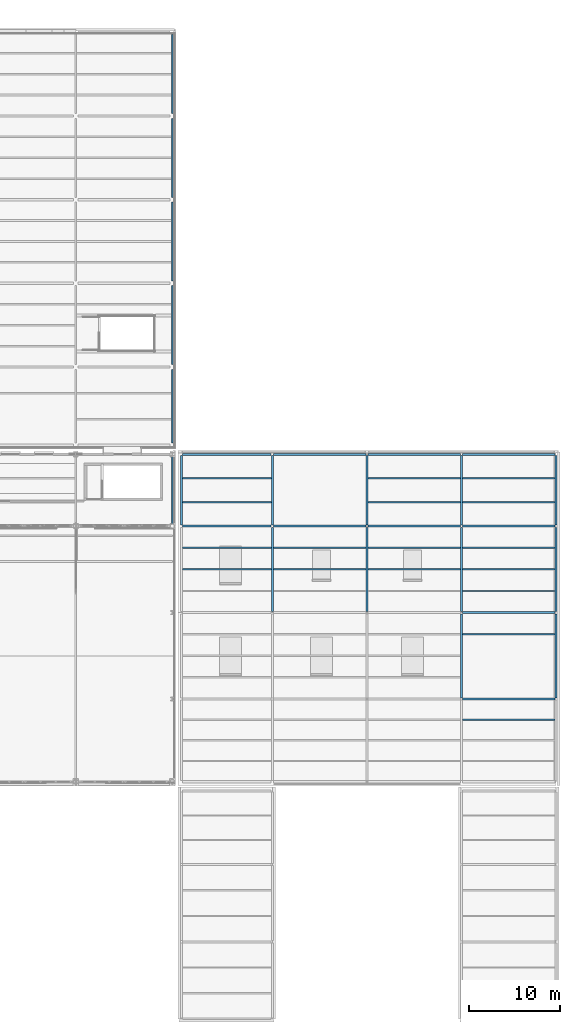
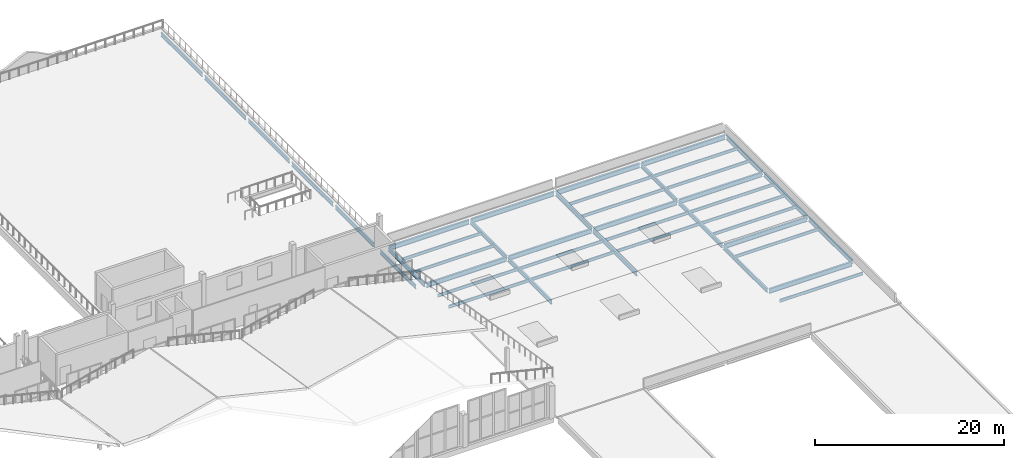
# One storey, part 76 of 120: 44 beams.
"""IFC4 building model written with IfcOpenShell, lengths in metres."""

from ifc_helpers import new_model, si_unit, direction, frame, origin, origin_2d, place, context, subcontext, project, spatial, i_section, extrude, material, material_profile, profile_set, type_object, element, save


model = new_model("IFC4")

# Units and contexts
model_context = context("Model", 3, precision=1e-05, world=origin(), true_north=direction((0.0, 1.0)))
body_context = subcontext(model_context, "Body", "Model", "MODEL_VIEW")
ifc_project = project(units=[si_unit("LENGTHUNIT", "METRE"), si_unit("AREAUNIT", "SQUARE_METRE"), si_unit("VOLUMEUNIT", "CUBIC_METRE"), si_unit("PLANEANGLEUNIT", "RADIAN"), si_unit("MASSUNIT", "GRAM", prefix="KILO")], contexts=[model_context])

# Site, building, storey
site_placement = place(None, origin())
site = spatial("IfcSite", under=ifc_project, at=site_placement, CompositionType="ELEMENT")
building_placement = place(site_placement, origin())
building = spatial("IfcBuilding", under=site, at=building_placement, Name="Caurita Quay Ferry Terminal", CompositionType="ELEMENT")
storey_placement = place(building_placement, frame((0.0, 0.0, 9.89990234375)))
storey = spatial("IfcBuildingStorey", under=building, at=storey_placement, Name="L02", CompositionType="ELEMENT", Elevation=9.89990234375)

# Beams
ifc_material = material(Name="Structural steel ASTM A992 Gr. 50", Category="steel")
ifc_material_profile_1 = material_profile(ifc_material, i_section(OverallWidth=0.210693359375, OverallDepth=0.53857421875, WebThickness=0.01171875, FlangeThickness=0.018798828125, FilletRadius=0.013916015625, at=origin_2d()), Name="W21X73")
ifc_profile_set_1 = profile_set([ifc_material_profile_1], Name="Structural steel ASTM A992 Gr. 50")
beam_type_1 = type_object("IfcBeamType", Name="BM-GR-W21A", PredefinedType="BEAM", material=ifc_profile_set_1)
beam_1_placement = place(storey_placement, frame((132.800048828125, 62.83056640625, -0.479248046875), z_axis=(0.0, 1.0, 0.0), x_axis=(-1.0, 0.0, 0.0)))
element("IfcBeam", 1, at=beam_1_placement, inside=storey, type_object=beam_type_1, Name="L02 Beam BM-V3H-L02-Y-1328-628", PredefinedType="BEAM", context=body_context, shape_type="SweptSolid", body=[
    extrude(i_section(OverallWidth=0.210693359375, OverallDepth=0.53857421875, WebThickness=0.01171875, FlangeThickness=0.018798828125, FilletRadius=0.013916015625, at=origin_2d()), origin(), (0.0, 0.0, 1.0), 7.638916015625),
])
beam_2_placement = place(storey_placement, frame((142.800048828125, 53.33056640625, -0.479248046875), z_axis=(0.0, 1.0, 0.0), x_axis=(-1.0, 0.0, 0.0)))
element("IfcBeam", 2, at=beam_2_placement, inside=storey, type_object=beam_type_1, Name="L02 Beam BM-V3H-L02-Y-1428-533", PredefinedType="BEAM", context=body_context, shape_type="SweptSolid", body=[
    extrude(i_section(OverallWidth=0.210693359375, OverallDepth=0.53857421875, WebThickness=0.01171875, FlangeThickness=0.018798828125, FilletRadius=0.013916015625, at=origin_2d()), origin(), (0.0, 0.0, 1.0), 9.23876953125),
])
beam_3_placement = place(storey_placement, frame((142.800048828125, 62.83056640625, -0.479248046875), z_axis=(0.0, 1.0, 0.0), x_axis=(-1.0, 0.0, 0.0)))
element("IfcBeam", 3, at=beam_3_placement, inside=storey, type_object=beam_type_1, Name="L02 Beam BM-V3H-L02-Y-1428-628", PredefinedType="BEAM", context=body_context, shape_type="SweptSolid", body=[
    extrude(i_section(OverallWidth=0.210693359375, OverallDepth=0.53857421875, WebThickness=0.01171875, FlangeThickness=0.018798828125, FilletRadius=0.013916015625, at=origin_2d()), origin(), (0.0, 0.0, 1.0), 7.638916015625),
])
beam_4_placement = place(storey_placement, frame((153.199951171875, 53.33056640625, -0.479248046875), z_axis=(0.0, 1.0, 0.0), x_axis=(-1.0, 0.0, 0.0)))
element("IfcBeam", 4, at=beam_4_placement, inside=storey, type_object=beam_type_1, Name="L02 Beam BM-V3H-L02-Y-1532-533", PredefinedType="BEAM", context=body_context, shape_type="SweptSolid", body=[
    extrude(i_section(OverallWidth=0.210693359375, OverallDepth=0.53857421875, WebThickness=0.01171875, FlangeThickness=0.018798828125, FilletRadius=0.013916015625, at=origin_2d()), origin(), (0.0, 0.0, 1.0), 9.23876953125),
])
beam_5_placement = place(storey_placement, frame((153.199951171875, 62.83056640625, -0.479248046875), z_axis=(0.0, 1.0, 0.0), x_axis=(-1.0, 0.0, 0.0)))
element("IfcBeam", 5, at=beam_5_placement, inside=storey, type_object=beam_type_1, Name="L02 Beam BM-V3H-L02-Y-1532-628", PredefinedType="BEAM", context=body_context, shape_type="SweptSolid", body=[
    extrude(i_section(OverallWidth=0.210693359375, OverallDepth=0.53857421875, WebThickness=0.01171875, FlangeThickness=0.018798828125, FilletRadius=0.013916015625, at=origin_2d()), origin(), (0.0, 0.0, 1.0), 7.638916015625),
])
for number, where, z_axis, x_axis, name in (
    (6, (163.60009765625, 43.83056640625, -0.479248046875), (0.0, 1.0, 0.0), (-1.0, 0.0, 0.0), "L02 Beam BM-V3H-L02-Y-1636-438"),
    (7, (163.60009765625, 53.33056640625, -0.479248046875), (0.0, 1.0, 0.0), (-1.0, 0.0, 0.0), "L02 Beam BM-V3H-L02-Y-1636-533"),
):
    element("IfcBeam", number, at=place(storey_placement, frame(where, z_axis=z_axis, x_axis=x_axis)), inside=storey, type_object=beam_type_1, Name=name, PredefinedType="BEAM", context=body_context, shape_type="SweptSolid", body=[
        extrude(i_section(OverallWidth=0.210693359375, OverallDepth=0.53857421875, WebThickness=0.01171875, FlangeThickness=0.018798828125, FilletRadius=0.013916015625, at=origin_2d()), origin(), (0.0, 0.0, 1.0), 9.23876953125),
    ])
beam_6_placement = place(storey_placement, frame((163.60009765625, 62.83056640625, -0.479248046875), z_axis=(0.0, 1.0, 0.0), x_axis=(-1.0, 0.0, 0.0)))
element("IfcBeam", 8, at=beam_6_placement, inside=storey, type_object=beam_type_1, Name="L02 Beam BM-V3H-L02-Y-1636-628", PredefinedType="BEAM", context=body_context, shape_type="SweptSolid", body=[
    extrude(i_section(OverallWidth=0.210693359375, OverallDepth=0.53857421875, WebThickness=0.01171875, FlangeThickness=0.018798828125, FilletRadius=0.013916015625, at=origin_2d()), origin(), (0.0, 0.0, 1.0), 7.638916015625),
])
for number, where, z_axis, x_axis, name in (
    (9, (174.0, 43.83056640625, -0.479248046875), (0.0, 1.0, 0.0), (-1.0, 0.0, 0.0), "L02 Beam BM-V3H-L02-Y-1740-438"),
    (10, (174.0, 53.33056640625, -0.479248046875), (0.0, 1.0, 0.0), (-1.0, 0.0, 0.0), "L02 Beam BM-V3H-L02-Y-1740-533"),
):
    element("IfcBeam", number, at=place(storey_placement, frame(where, z_axis=z_axis, x_axis=x_axis)), inside=storey, type_object=beam_type_1, Name=name, PredefinedType="BEAM", context=body_context, shape_type="SweptSolid", body=[
        extrude(i_section(OverallWidth=0.210693359375, OverallDepth=0.53857421875, WebThickness=0.01171875, FlangeThickness=0.018798828125, FilletRadius=0.013916015625, at=origin_2d()), origin(), (0.0, 0.0, 1.0), 9.23876953125),
    ])
beam_7_placement = place(storey_placement, frame((174.0, 62.83056640625, -0.479248046875), z_axis=(0.0, 1.0, 0.0), x_axis=(-1.0, 0.0, 0.0)))
element("IfcBeam", 11, at=beam_7_placement, inside=storey, type_object=beam_type_1, Name="L02 Beam BM-V3H-L02-Y-1740-628", PredefinedType="BEAM", context=body_context, shape_type="SweptSolid", body=[
    extrude(i_section(OverallWidth=0.210693359375, OverallDepth=0.53857421875, WebThickness=0.01171875, FlangeThickness=0.018798828125, FilletRadius=0.013916015625, at=origin_2d()), origin(), (0.0, 0.0, 1.0), 7.638916015625),
])
ifc_material_profile_2 = material_profile(ifc_material, i_section(OverallWidth=0.22802734375, OverallDepth=0.60205078125, WebThickness=0.010498046875, FlangeThickness=0.014892578125, at=origin_2d()), Name="W24X68")
ifc_profile_set_2 = profile_set([ifc_material_profile_2], Name="Structural steel ASTM A992 Gr. 50")
beam_type_2 = type_object("IfcBeamType", Name="BM-GR-W24C", PredefinedType="BEAM", material=ifc_profile_set_2)
for number, where, z_axis, x_axis, name in (
    (12, (163.7294921875, 43.699951171875, -0.510986328125), (1.0, 0.0, 0.0), (0.0, 1.0, 0.0), "L02 Beam BM-V3H-L02-X-1637-437"),
    (13, (163.7294921875, 53.199951171875, -0.510986328125), (1.0, 0.0, 0.0), (0.0, 1.0, 0.0), "L02 Beam BM-V3H-L02-X-1637-532"),
):
    element("IfcBeam", number, at=place(storey_placement, frame(where, z_axis=z_axis, x_axis=x_axis)), inside=storey, type_object=beam_type_2, Name=name, PredefinedType="BEAM", context=body_context, shape_type="SweptSolid", body=[
        extrude(i_section(OverallWidth=0.22802734375, OverallDepth=0.60205078125, WebThickness=0.010498046875, FlangeThickness=0.014892578125, at=origin_2d()), origin(), (0.0, 0.0, 1.0), 10.14111328125),
    ])
beam_8_placement = place(storey_placement, frame((132.929443359375, 62.699951171875, -0.510986328125), z_axis=(1.0, 0.0, 0.0), x_axis=(0.0, 1.0, 0.0)))
element("IfcBeam", 14, at=beam_8_placement, inside=storey, type_object=beam_type_2, Name="L02 Beam BM-V3H-L02-X-1329-627", PredefinedType="BEAM", context=body_context, shape_type="SweptSolid", body=[
    extrude(i_section(OverallWidth=0.22802734375, OverallDepth=0.60205078125, WebThickness=0.010498046875, FlangeThickness=0.014892578125, at=origin_2d()), origin(), (0.0, 0.0, 1.0), 9.740966796875),
])
beam_9_placement = place(storey_placement, frame((142.929443359375, 62.699951171875, -0.510986328125), z_axis=(1.0, 0.0, 0.0), x_axis=(0.0, 1.0, 0.0)))
element("IfcBeam", 15, at=beam_9_placement, inside=storey, type_object=beam_type_2, Name="L02 Beam BM-V3H-L02-X-1429-627", PredefinedType="BEAM", context=body_context, shape_type="SweptSolid", body=[
    extrude(i_section(OverallWidth=0.22802734375, OverallDepth=0.60205078125, WebThickness=0.010498046875, FlangeThickness=0.014892578125, at=origin_2d()), origin(), (0.0, 0.0, 1.0), 10.14111328125),
])
beam_10_placement = place(storey_placement, frame((153.32958984375, 62.699951171875, -0.510986328125), z_axis=(1.0, 0.0, 0.0), x_axis=(0.0, 1.0, 0.0)))
element("IfcBeam", 16, at=beam_10_placement, inside=storey, type_object=beam_type_2, Name="L02 Beam BM-V3H-L02-X-1533-627", PredefinedType="BEAM", context=body_context, shape_type="SweptSolid", body=[
    extrude(i_section(OverallWidth=0.22802734375, OverallDepth=0.60205078125, WebThickness=0.010498046875, FlangeThickness=0.014892578125, at=origin_2d()), origin(), (0.0, 0.0, 1.0), 10.140869140625),
])
beam_11_placement = place(storey_placement, frame((163.7294921875, 62.699951171875, -0.510986328125), z_axis=(1.0, 0.0, 0.0), x_axis=(0.0, 1.0, 0.0)))
element("IfcBeam", 17, at=beam_11_placement, inside=storey, type_object=beam_type_2, Name="L02 Beam BM-V3H-L02-X-1637-627", PredefinedType="BEAM", context=body_context, shape_type="SweptSolid", body=[
    extrude(i_section(OverallWidth=0.22802734375, OverallDepth=0.60205078125, WebThickness=0.010498046875, FlangeThickness=0.014892578125, at=origin_2d()), origin(), (0.0, 0.0, 1.0), 10.14111328125),
])
beam_12_placement = place(storey_placement, frame((132.929443359375, 70.60009765625, -0.510986328125), z_axis=(1.0, 0.0, 0.0), x_axis=(0.0, 1.0, 0.0)))
element("IfcBeam", 18, at=beam_12_placement, inside=storey, type_object=beam_type_2, Name="L02 Beam BM-V3H-L02-X-1329-706", PredefinedType="BEAM", context=body_context, shape_type="SweptSolid", body=[
    extrude(i_section(OverallWidth=0.22802734375, OverallDepth=0.60205078125, WebThickness=0.010498046875, FlangeThickness=0.014892578125, at=origin_2d()), origin(), (0.0, 0.0, 1.0), 9.740966796875),
])
beam_13_placement = place(storey_placement, frame((142.929443359375, 70.60009765625, -0.510986328125), z_axis=(1.0, 0.0, 0.0), x_axis=(0.0, 1.0, 0.0)))
element("IfcBeam", 19, at=beam_13_placement, inside=storey, type_object=beam_type_2, Name="L02 Beam BM-V3H-L02-X-1429-706", PredefinedType="BEAM", context=body_context, shape_type="SweptSolid", body=[
    extrude(i_section(OverallWidth=0.22802734375, OverallDepth=0.60205078125, WebThickness=0.010498046875, FlangeThickness=0.014892578125, at=origin_2d()), origin(), (0.0, 0.0, 1.0), 10.14111328125),
])
beam_14_placement = place(storey_placement, frame((153.32958984375, 70.60009765625, -0.510986328125), z_axis=(1.0, 0.0, 0.0), x_axis=(0.0, 1.0, 0.0)))
element("IfcBeam", 20, at=beam_14_placement, inside=storey, type_object=beam_type_2, Name="L02 Beam BM-V3H-L02-X-1533-706", PredefinedType="BEAM", context=body_context, shape_type="SweptSolid", body=[
    extrude(i_section(OverallWidth=0.22802734375, OverallDepth=0.60205078125, WebThickness=0.010498046875, FlangeThickness=0.014892578125, at=origin_2d()), origin(), (0.0, 0.0, 1.0), 10.140869140625),
])
beam_15_placement = place(storey_placement, frame((163.7294921875, 70.60009765625, -0.510986328125), z_axis=(1.0, 0.0, 0.0), x_axis=(0.0, 1.0, 0.0)))
element("IfcBeam", 21, at=beam_15_placement, inside=storey, type_object=beam_type_2, Name="L02 Beam BM-V3H-L02-X-1637-706", PredefinedType="BEAM", context=body_context, shape_type="SweptSolid", body=[
    extrude(i_section(OverallWidth=0.22802734375, OverallDepth=0.60205078125, WebThickness=0.010498046875, FlangeThickness=0.014892578125, at=origin_2d()), origin(), (0.0, 0.0, 1.0), 10.14111328125),
])
ifc_material_profile_3 = material_profile(ifc_material, i_section(OverallWidth=0.139892578125, OverallDepth=0.39892578125, WebThickness=0.00634765625, FlangeThickness=0.0087890625, at=origin_2d()), Name="W16X26")
ifc_profile_set_3 = profile_set([ifc_material_profile_3], Name="Structural steel ASTM A992 Gr. 50")
beam_type_3 = type_object("IfcBeamType", Name="BM-JS-W16C", PredefinedType="JOIST", material=ifc_profile_set_3)
for number, where, z_axis, x_axis, name in (
    (22, (132.905517578125, 57.949951171875, -0.409423828125), (1.0, 0.0, 0.0), (0.0, 1.0, 0.0), "L02 Beam JS-V3H-L02-008"),
    (23, (132.905517578125, 60.324951171875, -0.409423828125), (1.0, 0.0, 0.0), (0.0, 1.0, 0.0), "L02 Beam JS-V3H-L02-009"),
    (24, (132.905517578125, 65.333251953125, -0.409423828125), (1.0, 0.0, 0.0), (0.0, 1.0, 0.0), "L02 Beam JS-V3H-L02-010"),
    (25, (132.905517578125, 67.966796875, -0.409423828125), (1.0, 0.0, 0.0), (0.0, 1.0, 0.0), "L02 Beam JS-V3H-L02-011"),
):
    element("IfcBeam", number, at=place(storey_placement, frame(where, z_axis=z_axis, x_axis=x_axis)), inside=storey, type_object=beam_type_3, Name=name, PredefinedType="JOIST", context=body_context, shape_type="SweptSolid", body=[
        extrude(i_section(OverallWidth=0.139892578125, OverallDepth=0.39892578125, WebThickness=0.00634765625, FlangeThickness=0.0087890625, at=origin_2d()), origin(), (0.0, 0.0, 1.0), 9.7890625),
    ])
for number, where, z_axis, x_axis, name in (
    (26, (142.905517578125, 57.949951171875, -0.409423828125), (1.0, 0.0, 0.0), (0.0, 1.0, 0.0), "L02 Beam JS-V3H-L02-019"),
    (27, (142.905517578125, 60.324951171875, -0.409423828125), (1.0, 0.0, 0.0), (0.0, 1.0, 0.0), "L02 Beam JS-V3H-L02-020"),
):
    element("IfcBeam", number, at=place(storey_placement, frame(where, z_axis=z_axis, x_axis=x_axis)), inside=storey, type_object=beam_type_3, Name=name, PredefinedType="JOIST", context=body_context, shape_type="SweptSolid", body=[
        extrude(i_section(OverallWidth=0.139892578125, OverallDepth=0.39892578125, WebThickness=0.00634765625, FlangeThickness=0.0087890625, at=origin_2d()), origin(), (0.0, 0.0, 1.0), 10.18896484375),
    ])
for number, where, z_axis, x_axis, name in (
    (28, (153.305419921875, 57.949951171875, -0.409423828125), (1.0, 0.0, 0.0), (0.0, 1.0, 0.0), "L02 Beam JS-V3H-L02-028"),
    (29, (153.305419921875, 60.324951171875, -0.409423828125), (1.0, 0.0, 0.0), (0.0, 1.0, 0.0), "L02 Beam JS-V3H-L02-029"),
    (30, (153.305419921875, 65.333251953125, -0.409423828125), (1.0, 0.0, 0.0), (0.0, 1.0, 0.0), "L02 Beam JS-V3H-L02-030"),
    (31, (153.305419921875, 67.966796875, -0.409423828125), (1.0, 0.0, 0.0), (0.0, 1.0, 0.0), "L02 Beam JS-V3H-L02-031"),
    (32, (163.705322265625, 41.425048828125, -0.409423828125), (1.0, 0.0, 0.0), (0.0, 1.0, 0.0), "L02 Beam JS-V3H-L02-034"),
    (33, (163.705322265625, 50.824951171875, -0.409423828125), (1.0, 0.0, 0.0), (0.0, 1.0, 0.0), "L02 Beam JS-V3H-L02-035"),
    (34, (163.705322265625, 55.574951171875, -0.409423828125), (1.0, 0.0, 0.0), (0.0, 1.0, 0.0), "L02 Beam JS-V3H-L02-036"),
    (35, (163.705322265625, 57.949951171875, -0.409423828125), (1.0, 0.0, 0.0), (0.0, 1.0, 0.0), "L02 Beam JS-V3H-L02-037"),
    (36, (163.705322265625, 60.324951171875, -0.409423828125), (1.0, 0.0, 0.0), (0.0, 1.0, 0.0), "L02 Beam JS-V3H-L02-038"),
    (37, (163.705322265625, 65.333251953125, -0.409423828125), (1.0, 0.0, 0.0), (0.0, 1.0, 0.0), "L02 Beam JS-V3H-L02-039"),
    (38, (163.705322265625, 67.966796875, -0.409423828125), (1.0, 0.0, 0.0), (0.0, 1.0, 0.0), "L02 Beam JS-V3H-L02-040"),
):
    element("IfcBeam", number, at=place(storey_placement, frame(where, z_axis=z_axis, x_axis=x_axis)), inside=storey, type_object=beam_type_3, Name=name, PredefinedType="JOIST", context=body_context, shape_type="SweptSolid", body=[
        extrude(i_section(OverallWidth=0.139892578125, OverallDepth=0.39892578125, WebThickness=0.00634765625, FlangeThickness=0.0087890625, at=origin_2d()), origin(), (0.0, 0.0, 1.0), 10.189208984375),
    ])
ifc_material_profile_4 = material_profile(ifc_material, i_section(OverallWidth=0.16650390625, OverallDepth=0.535888671875, WebThickness=0.01025390625, FlangeThickness=0.0166015625, FilletRadius=0.013916015625, at=origin_2d()), Name="W21X57")
ifc_profile_set_4 = profile_set([ifc_material_profile_4], Name="Structural steel ASTM A992 Gr. 50")
beam_type_4 = type_object("IfcBeamType", Name="BM-SP-W21B", PredefinedType="SPANDREL", material=ifc_profile_set_4)
beam_16_placement = place(storey_placement, frame((131.800048828125, 62.916015625, -0.48779296875), z_axis=(0.0, 1.0, 0.0), x_axis=(-1.0, 0.0, 0.0)))
element("IfcBeam", 39, at=beam_16_placement, inside=storey, type_object=beam_type_4, Name="L02 Beam BM-V2-L02-Y-1318-629", PredefinedType="SPANDREL", context=body_context, shape_type="SweptSolid", body=[
    extrude(i_section(OverallWidth=0.16650390625, OverallDepth=0.535888671875, WebThickness=0.01025390625, FlangeThickness=0.0166015625, FilletRadius=0.013916015625, at=origin_2d()), origin(), (0.0, 0.0, 1.0), 7.527587890625),
])
beam_17_placement = place(storey_placement, frame((131.800048828125, 71.85498046875, -0.477783203125), z_axis=(0.0, 1.0, 0.0), x_axis=(-1.0, 0.0, 0.0)))
element("IfcBeam", 40, at=beam_17_placement, inside=storey, type_object=beam_type_4, Name="L02 Beam BM-V4W-L02-Y-1318-719", PredefinedType="SPANDREL", context=body_context, shape_type="SweptSolid", body=[
    extrude(i_section(OverallWidth=0.16650390625, OverallDepth=0.535888671875, WebThickness=0.01025390625, FlangeThickness=0.0166015625, FilletRadius=0.013916015625, at=origin_2d()), origin(), (0.0, 0.0, 1.0), 8.090087890625),
])
for number, where, z_axis, x_axis, name in (
    (41, (131.800048828125, 80.455078125, -0.477783203125), (0.0, 1.0, 0.0), (-1.0, 0.0, 0.0), "L02 Beam BM-V4W-L02-Y-1318-805"),
    (42, (131.800048828125, 89.655029296875, -0.477783203125), (0.0, 1.0, 0.0), (-1.0, 0.0, 0.0), "L02 Beam BM-V4W-L02-Y-1318-897"),
    (43, (131.800048828125, 98.85498046875, -0.477783203125), (0.0, 1.0, 0.0), (-1.0, 0.0, 0.0), "L02 Beam BM-V4W-L02-Y-1318-989"),
):
    element("IfcBeam", number, at=place(storey_placement, frame(where, z_axis=z_axis, x_axis=x_axis)), inside=storey, type_object=beam_type_4, Name=name, PredefinedType="SPANDREL", context=body_context, shape_type="SweptSolid", body=[
        extrude(i_section(OverallWidth=0.16650390625, OverallDepth=0.535888671875, WebThickness=0.01025390625, FlangeThickness=0.0166015625, FilletRadius=0.013916015625, at=origin_2d()), origin(), (0.0, 0.0, 1.0), 8.68994140625),
    ])
beam_18_placement = place(storey_placement, frame((131.800048828125, 108.054931640625, -0.477783203125), z_axis=(0.0, 1.0, 0.0), x_axis=(-1.0, 0.0, 0.0)))
element("IfcBeam", 44, at=beam_18_placement, inside=storey, type_object=beam_type_4, Name="L02 Beam BM-V4W-L02-Y-1318-1081", PredefinedType="SPANDREL", context=body_context, shape_type="SweptSolid", body=[
    extrude(i_section(OverallWidth=0.16650390625, OverallDepth=0.535888671875, WebThickness=0.01025390625, FlangeThickness=0.0166015625, FilletRadius=0.013916015625, at=origin_2d()), origin(), (0.0, 0.0, 1.0), 8.690185546875),
])

save(model, "model.ifc")
